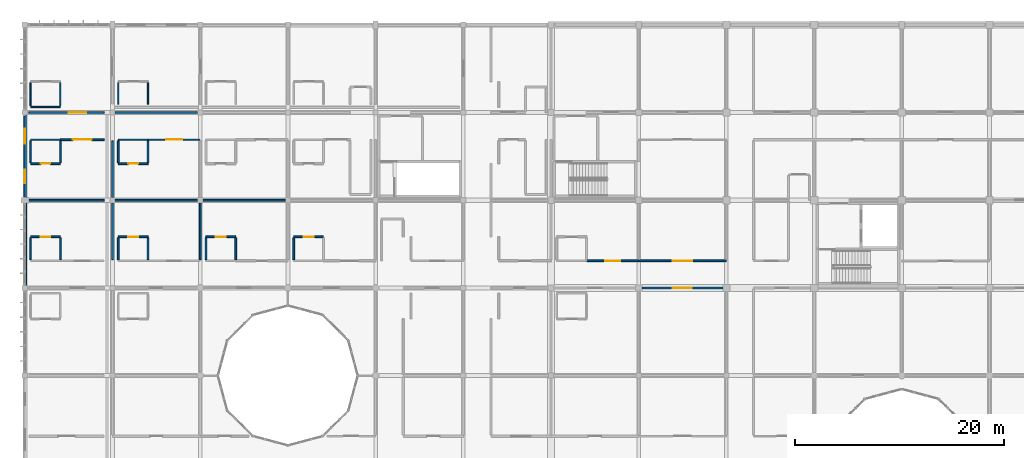
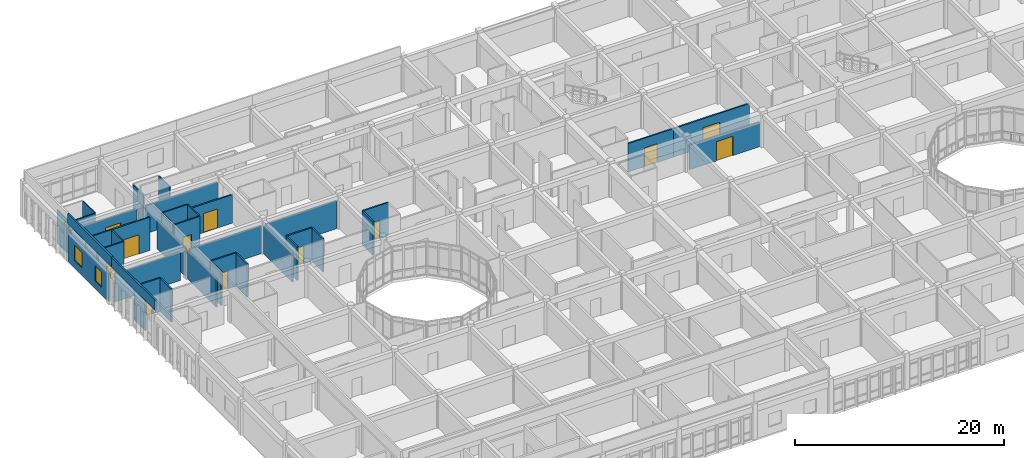
# One storey, part 86 of 119: 40 walls, 12 doors, 2 windows, 14 openings.
"""IFC4 building model written with IfcOpenShell, lengths in metres."""

from ifc_helpers import new_model, si_unit, direction, frame, frame_2d, origin, place, context, subcontext, project, spatial, rectangle, extrude, material, layer, layer_set, type_object, element, fill, save


model = new_model("IFC4")

# Units and contexts
model_context = context("Model", 3, precision=1e-05, world=origin(), true_north=direction((0.0, 1.0)))
body_context = subcontext(model_context, "Body", "Model", "MODEL_VIEW")
ifc_project = project(units=[si_unit("LENGTHUNIT", "METRE"), si_unit("AREAUNIT", "SQUARE_METRE"), si_unit("VOLUMEUNIT", "CUBIC_METRE"), si_unit("PLANEANGLEUNIT", "RADIAN"), si_unit("MASSUNIT", "GRAM", prefix="KILO")], contexts=[model_context])

# Site, building, storey
site_placement = place(None, origin())
site = spatial("IfcSite", under=ifc_project, at=site_placement, CompositionType="ELEMENT")
building_placement = place(site_placement, origin())
building = spatial("IfcBuilding", under=site, at=building_placement, Name="Bramfleet General Hospital", CompositionType="ELEMENT")
storey_placement = place(building_placement, frame((0.0, 0.0, 14.39990234375)))
storey = spatial("IfcBuildingStorey", under=building, at=storey_placement, Name="L03", CompositionType="ELEMENT", Elevation=14.39990234375)

# Wall, openings, windows
ifc_material_1 = material(Name="Precast concrete C40/50", Category="concrete")
ifc_layer_1 = layer(ifc_material_1, 0.25, Name="WT-EW-08")
ifc_layer_set_1 = layer_set([ifc_layer_1], Name="Precast concrete C40/50")
wall_type_1 = type_object("IfcWallType", Name="WT-EW-08", PredefinedType="SOLIDWALL", material=ifc_layer_set_1)
wall_1_placement = place(storey_placement, frame((0.0, 101.125, 0.0), z_axis=(0.0, 0.0, 1.0), x_axis=(0.0, 1.0, 0.0)))
wall_1 = element("IfcWall", 1, at=wall_1_placement, inside=storey, type_object=wall_type_1, Name="L03 Exterior Wall 237", PredefinedType="SOLIDWALL", context=body_context, shape_type="SweptSolid", body=[
    extrude(rectangle(XDim=7.75, YDim=0.25, at=frame_2d((3.875, 0.0))), origin(), (0.0, 0.0, 1.0), 3.190185546875),
])
opening_1_placement = place(wall_1_placement, frame((1.28759765625, 0.0, 0.85009765625)))
opening_1 = element("IfcOpeningElement", 2, at=opening_1_placement, cuts=wall_1, Name="Opening W-42", PredefinedType="OPENING", context=body_context, shape_type="SweptSolid", body=[
    extrude(rectangle(XDim=1.300048828125, YDim=1.780029296875, at=frame_2d((0.64990234375, 0.89013671875))), frame((0.0, 0.135009765625, 0.0), z_axis=(0.0, -1.0, 0.0), x_axis=(1.0, 0.0, 0.0)), (0.0, 0.0, 1.0), 0.27001953125),
])
opening_2_placement = place(wall_1_placement, frame((5.08740234375, 0.0, 0.85009765625)))
opening_2 = element("IfcOpeningElement", 3, at=opening_2_placement, cuts=wall_1, Name="Opening W-43", PredefinedType="OPENING", context=body_context, shape_type="SweptSolid", body=[
    extrude(rectangle(XDim=1.449951171875, YDim=1.780029296875, at=frame_2d((0.72509765625, 0.89013671875))), frame((0.0, 0.135009765625, 0.0), z_axis=(0.0, -1.0, 0.0), x_axis=(1.0, 0.0, 0.0)), (0.0, 0.0, 1.0), 0.27001953125),
])
ifc_material_2 = material(Name="Anodised aluminium and low-E triple glazing", Category="aluminium")
window_type_1 = type_object("IfcWindowType", Name="WIN-W-42", PartitioningType="SINGLE_PANEL", PredefinedType="WINDOW", material=ifc_material_2)
window_1_placement = place(opening_1_placement, origin())
window_1 = element("IfcWindow", 4, at=window_1_placement, inside=storey, type_object=window_type_1, Name="L03 Facade Window WIN-L03-237-1", OverallHeight=1.780029296875, OverallWidth=1.300048828125, PartitioningType="SINGLE_PANEL", PredefinedType="WINDOW", context=body_context, shape_type="SweptSolid", body=[
    extrude(rectangle(XDim=1.300048828125, YDim=1.780029296875, at=frame_2d((0.64990234375, 0.89013671875))), frame((0.0, 0.030029296875, 0.0), z_axis=(0.0, -1.0, 0.0), x_axis=(1.0, 0.0, 0.0)), (0.0, 0.0, 1.0), 0.06005859375),
])
fill(opening_1, window_1)
window_type_2 = type_object("IfcWindowType", Name="WIN-W-43", PartitioningType="SINGLE_PANEL", PredefinedType="WINDOW", material=ifc_material_2)
window_2_placement = place(opening_2_placement, origin())
window_2 = element("IfcWindow", 5, at=window_2_placement, inside=storey, type_object=window_type_2, Name="L03 Facade Window WIN-L03-237-2", OverallHeight=1.780029296875, OverallWidth=1.449951171875, PartitioningType="SINGLE_PANEL", PredefinedType="WINDOW", context=body_context, shape_type="SweptSolid", body=[
    extrude(rectangle(XDim=1.449951171875, YDim=1.780029296875, at=frame_2d((0.72509765625, 0.89013671875))), frame((0.0, 0.030029296875, 0.0), z_axis=(0.0, -1.0, 0.0), x_axis=(1.0, 0.0, 0.0)), (0.0, 0.0, 1.0), 0.06005859375),
])
fill(opening_2, window_2)

# Wall, opening, door
ifc_material_3 = material(Name="Gypsum plasterboard on acoustic steel studs", Category="steel")
ifc_layer_2 = layer(ifc_material_3, 0.169921875, Name="WT-IW-05")
ifc_layer_set_2 = layer_set([ifc_layer_2], Name="Gypsum plasterboard on acoustic steel studs")
wall_type_2 = type_object("IfcWallType", Name="WT-IW-05", PredefinedType="PARTITIONING", material=ifc_layer_set_2)
wall_2_placement = place(storey_placement, frame((59.094970703125, 92.39990234375, 0.0), z_axis=(0.0, 0.0, 1.0), x_axis=(1.0, 0.0, 0.0)))
wall_2 = element("IfcWall", 6, at=wall_2_placement, inside=storey, type_object=wall_type_2, Name="L03 Interior Partition IW-L03-2645", PredefinedType="PARTITIONING", context=body_context, shape_type="SweptSolid", body=[
    extrude(rectangle(XDim=7.760009765625, YDim=0.169921875, at=frame_2d((3.8798828125, 0.0))), origin(), (0.0, 0.0, 1.0), 2.880126953125),
])
opening_3_placement = place(wall_2_placement, frame((2.97998046875, 0.0, 0.0)))
opening_3 = element("IfcOpeningElement", 7, at=opening_3_placement, cuts=wall_2, Name="Opening D1093", PredefinedType="OPENING", context=body_context, shape_type="SweptSolid", body=[
    extrude(rectangle(XDim=1.800048828125, YDim=2.25, at=frame_2d((0.89990234375, 1.125))), frame((0.0, 0.094970703125, 0.0), z_axis=(0.0, -1.0, 0.0), x_axis=(1.0, 0.0, 0.0)), (0.0, 0.0, 1.0), 0.18994140625),
])
ifc_material_4 = material(Name="Stainless steel and acoustic timber leaf", Category="steel")
door_type_1 = type_object("IfcDoorType", Name="DR-D-05", OperationType="NOTDEFINED", PredefinedType="DOOR", material=ifc_material_4)
door_1_placement = place(opening_3_placement, origin())
door_1 = element("IfcDoor", 8, at=door_1_placement, inside=storey, type_object=door_type_1, Name="Maternity Delivery Suite and Clinical Lab L03-0710 Door D1093", OperationType="DOUBLE_SWING_RIGHT", OverallHeight=2.25, OverallWidth=1.800048828125, PredefinedType="DOOR", context=body_context, shape_type="SweptSolid", body=[
    extrude(rectangle(XDim=1.800048828125, YDim=2.25, at=frame_2d((0.89990234375, 1.125))), frame((0.0, 0.02490234375, 0.0), z_axis=(0.0, -1.0, 0.0), x_axis=(1.0, 0.0, 0.0)), (0.0, 0.0, 1.0), 0.050048828125),
])
fill(opening_3, door_1)

ifc_layer_3 = layer(ifc_material_3, 0.159912109375, Name="WT-IW-06")
ifc_layer_set_3 = layer_set([ifc_layer_3], Name="Gypsum plasterboard on acoustic steel studs")
wall_type_3 = type_object("IfcWallType", Name="WT-IW-06", PredefinedType="PARTITIONING", material=ifc_layer_set_3)
wall_3_placement = place(storey_placement, frame((53.800048828125, 95.0, 0.0), z_axis=(0.0, 0.0, 1.0), x_axis=(1.0, 0.0, 0.0)))
wall_3 = element("IfcWall", 9, at=wall_3_placement, inside=storey, type_object=wall_type_3, Name="L03 Interior Partition IW-L03-2669", PredefinedType="PARTITIONING", context=body_context, shape_type="SweptSolid", body=[
    extrude(rectangle(XDim=5.0, YDim=0.159912109375, at=frame_2d((2.5, 0.0))), origin(), (0.0, 0.0, 1.0), 3.340087890625),
])
opening_4_placement = place(wall_3_placement, frame((1.7900390625, 0.0, 0.0)))
opening_4 = element("IfcOpeningElement", 10, at=opening_4_placement, cuts=wall_3, Name="Opening D1087", PredefinedType="OPENING", context=body_context, shape_type="SweptSolid", body=[
    extrude(rectangle(XDim=1.419921875, YDim=2.219970703125, at=frame_2d((0.7099609375, 1.10986328125))), frame((0.0, 0.08984375, 0.0), z_axis=(0.0, -1.0, 0.0), x_axis=(1.0, 0.0, 0.0)), (0.0, 0.0, 1.0), 0.179931640625),
])
door_type_2 = type_object("IfcDoorType", Name="DR-D-31", OperationType="NOTDEFINED", PredefinedType="DOOR", material=ifc_material_4)
door_2_placement = place(opening_4_placement, origin())
door_2 = element("IfcDoor", 11, at=door_2_placement, inside=storey, type_object=door_type_2, Name="Neonatal Intensive Care Ward L03-0611 Door D1087", OperationType="SINGLE_SWING_RIGHT", OverallHeight=2.219970703125, OverallWidth=1.419921875, PredefinedType="DOOR", context=body_context, shape_type="SweptSolid", body=[
    extrude(rectangle(XDim=1.419921875, YDim=2.219970703125, at=frame_2d((0.7099609375, 1.10986328125))), frame((0.0, 0.02490234375, 0.0), z_axis=(0.0, -1.0, 0.0), x_axis=(1.0, 0.0, 0.0)), (0.0, 0.0, 1.0), 0.050048828125),
])
fill(opening_4, door_2)

wall_4_placement = place(storey_placement, frame((58.800048828125, 95.0, 0.0), z_axis=(0.0, 0.0, 1.0), x_axis=(1.0, 0.0, 0.0)))
wall_4 = element("IfcWall", 12, at=wall_4_placement, inside=storey, type_object=wall_type_3, Name="L03 Interior Partition IW-L03-2670", PredefinedType="PARTITIONING", context=body_context, shape_type="SweptSolid", body=[
    extrude(rectangle(XDim=8.39990234375, YDim=0.159912109375, at=frame_2d((4.199951171875, 0.0))), origin(), (0.0, 0.0, 1.0), 3.340087890625),
])
opening_5_placement = place(wall_4_placement, frame((3.25, 0.0, 0.0)))
opening_5 = element("IfcOpeningElement", 13, at=opening_5_placement, cuts=wall_4, Name="Opening D1094", PredefinedType="OPENING", context=body_context, shape_type="SweptSolid", body=[
    extrude(rectangle(XDim=1.89990234375, YDim=2.300048828125, at=frame_2d((0.949951171875, 1.14990234375))), frame((0.0, 0.08984375, 0.0), z_axis=(0.0, -1.0, 0.0), x_axis=(1.0, 0.0, 0.0)), (0.0, 0.0, 1.0), 0.179931640625),
])
door_type_3 = type_object("IfcDoorType", Name="DR-D-06", OperationType="NOTDEFINED", PredefinedType="DOOR", material=ifc_material_4)
door_3_placement = place(opening_5_placement, origin())
door_3 = element("IfcDoor", 14, at=door_3_placement, inside=storey, type_object=door_type_3, Name="Maternity Delivery Suite and Clinical Lab L03-0711 Door D1094", OperationType="DOUBLE_SWING_LEFT", OverallHeight=2.300048828125, OverallWidth=1.89990234375, PredefinedType="DOOR", context=body_context, shape_type="SweptSolid", body=[
    extrude(rectangle(XDim=1.89990234375, YDim=2.300048828125, at=frame_2d((0.949951171875, 1.14990234375))), frame((0.0, 0.02490234375, 0.0), z_axis=(0.0, -1.0, 0.0), x_axis=(1.0, 0.0, 0.0)), (0.0, 0.0, 1.0), 0.050048828125),
])
fill(opening_5, door_3)

wall_5_placement = place(storey_placement, frame((0.550048828125, 97.300048828125, 0.0), z_axis=(0.0, 0.0, 1.0), x_axis=(1.0, 0.0, 0.0)))
wall_5 = element("IfcWall", 15, at=wall_5_placement, inside=storey, type_object=wall_type_3, Name="L03 Interior Partition IW-L03-2679", PredefinedType="PARTITIONING", context=body_context, shape_type="SweptSolid", body=[
    extrude(rectangle(XDim=2.849853515625, YDim=0.159912109375, at=frame_2d((1.4248046875, 0.0))), origin(), (0.0, 0.0, 1.0), 3.89013671875),
])
opening_6_placement = place(wall_5_placement, frame((0.949951171875, 0.0, 0.0)))
opening_6 = element("IfcOpeningElement", 16, at=opening_6_placement, cuts=wall_5, Name="Opening D1028", PredefinedType="OPENING", context=body_context, shape_type="SweptSolid", body=[
    extrude(rectangle(XDim=0.949951171875, YDim=2.10009765625, at=frame_2d((0.47509765625, 1.050048828125))), frame((0.0, 0.08984375, 0.0), z_axis=(0.0, -1.0, 0.0), x_axis=(1.0, 0.0, 0.0)), (0.0, 0.0, 1.0), 0.179931640625),
])
door_type_4 = type_object("IfcDoorType", Name="DR-D-10", OperationType="NOTDEFINED", PredefinedType="DOOR", material=ifc_material_4)
door_4_placement = place(opening_6_placement, origin())
door_4 = element("IfcDoor", 17, at=door_4_placement, inside=storey, type_object=door_type_4, Name="Neonatal Family En-Suite WC L03-0011 Door D1028", OperationType="SINGLE_SWING_LEFT", OverallHeight=2.10009765625, OverallWidth=0.949951171875, PredefinedType="DOOR", context=body_context, shape_type="SweptSolid", body=[
    extrude(rectangle(XDim=0.949951171875, YDim=2.10009765625, at=frame_2d((0.47509765625, 1.050048828125))), frame((0.0, 0.02490234375, 0.0), z_axis=(0.0, -1.0, 0.0), x_axis=(1.0, 0.0, 0.0)), (0.0, 0.0, 1.0), 0.050048828125),
])
fill(opening_6, door_4)

wall_6_placement = place(storey_placement, frame((8.949951171875, 97.300048828125, 0.0), z_axis=(0.0, 0.0, 1.0), x_axis=(1.0, 0.0, 0.0)))
wall_6 = element("IfcWall", 18, at=wall_6_placement, inside=storey, type_object=wall_type_3, Name="L03 Interior Partition IW-L03-2680", PredefinedType="PARTITIONING", context=body_context, shape_type="SweptSolid", body=[
    extrude(rectangle(XDim=2.85009765625, YDim=0.159912109375, at=frame_2d((1.425048828125, 0.0))), origin(), (0.0, 0.0, 1.0), 3.89013671875),
])
opening_7_placement = place(wall_6_placement, frame((0.949951171875, 0.0, 0.0)))
opening_7 = element("IfcOpeningElement", 19, at=opening_7_placement, cuts=wall_6, Name="Opening D1040", PredefinedType="OPENING", context=body_context, shape_type="SweptSolid", body=[
    extrude(rectangle(XDim=0.949951171875, YDim=2.10009765625, at=frame_2d((0.47509765625, 1.050048828125))), frame((0.0, 0.08984375, 0.0), z_axis=(0.0, -1.0, 0.0), x_axis=(1.0, 0.0, 0.0)), (0.0, 0.0, 1.0), 0.179931640625),
])
door_5_placement = place(opening_7_placement, origin())
door_5 = element("IfcDoor", 20, at=door_5_placement, inside=storey, type_object=door_type_4, Name="Neonatal Family En-Suite WC L03-0111 Door D1040", OperationType="SINGLE_SWING_LEFT", OverallHeight=2.10009765625, OverallWidth=0.949951171875, PredefinedType="DOOR", context=body_context, shape_type="SweptSolid", body=[
    extrude(rectangle(XDim=0.949951171875, YDim=2.10009765625, at=frame_2d((0.47509765625, 1.050048828125))), frame((0.0, 0.02490234375, 0.0), z_axis=(0.0, -1.0, 0.0), x_axis=(1.0, 0.0, 0.0)), (0.0, 0.0, 1.0), 0.050048828125),
])
fill(opening_7, door_5)

wall_7_placement = place(storey_placement, frame((17.35009765625, 97.300048828125, 0.0), z_axis=(0.0, 0.0, 1.0), x_axis=(1.0, 0.0, 0.0)))
wall_7 = element("IfcWall", 21, at=wall_7_placement, inside=storey, type_object=wall_type_3, Name="L03 Interior Partition IW-L03-2681", PredefinedType="PARTITIONING", context=body_context, shape_type="SweptSolid", body=[
    extrude(rectangle(XDim=2.849853515625, YDim=0.159912109375, at=frame_2d((1.4248046875, 0.0))), origin(), (0.0, 0.0, 1.0), 3.89013671875),
])
opening_8_placement = place(wall_7_placement, frame((0.949951171875, 0.0, 0.0)))
opening_8 = element("IfcOpeningElement", 22, at=opening_8_placement, cuts=wall_7, Name="Opening D1050", PredefinedType="OPENING", context=body_context, shape_type="SweptSolid", body=[
    extrude(rectangle(XDim=0.949951171875, YDim=2.10009765625, at=frame_2d((0.47509765625, 1.050048828125))), frame((0.0, 0.08984375, 0.0), z_axis=(0.0, -1.0, 0.0), x_axis=(1.0, 0.0, 0.0)), (0.0, 0.0, 1.0), 0.179931640625),
])
door_6_placement = place(opening_8_placement, origin())
door_6 = element("IfcDoor", 23, at=door_6_placement, inside=storey, type_object=door_type_4, Name="Neonatal Family En-Suite WC L03-0211 Door D1050", OperationType="SINGLE_SWING_LEFT", OverallHeight=2.10009765625, OverallWidth=0.949951171875, PredefinedType="DOOR", context=body_context, shape_type="SweptSolid", body=[
    extrude(rectangle(XDim=0.949951171875, YDim=2.10009765625, at=frame_2d((0.47509765625, 1.050048828125))), frame((0.0, 0.02490234375, 0.0), z_axis=(0.0, -1.0, 0.0), x_axis=(1.0, 0.0, 0.0)), (0.0, 0.0, 1.0), 0.050048828125),
])
fill(opening_8, door_6)

wall_8_placement = place(storey_placement, frame((25.75, 97.300048828125, 0.0), z_axis=(0.0, 0.0, 1.0), x_axis=(1.0, 0.0, 0.0)))
wall_8 = element("IfcWall", 24, at=wall_8_placement, inside=storey, type_object=wall_type_3, Name="L03 Interior Partition IW-L03-2682", PredefinedType="PARTITIONING", context=body_context, shape_type="SweptSolid", body=[
    extrude(rectangle(XDim=2.85009765625, YDim=0.159912109375, at=frame_2d((1.425048828125, 0.0))), origin(), (0.0, 0.0, 1.0), 3.89013671875),
])
opening_9_placement = place(wall_8_placement, frame((0.949951171875, 0.0, 0.0)))
opening_9 = element("IfcOpeningElement", 25, at=opening_9_placement, cuts=wall_8, Name="Opening D1061", PredefinedType="OPENING", context=body_context, shape_type="SweptSolid", body=[
    extrude(rectangle(XDim=0.949951171875, YDim=2.10009765625, at=frame_2d((0.47509765625, 1.050048828125))), frame((0.0, 0.08984375, 0.0), z_axis=(0.0, -1.0, 0.0), x_axis=(1.0, 0.0, 0.0)), (0.0, 0.0, 1.0), 0.179931640625),
])
door_7_placement = place(opening_9_placement, origin())
door_7 = element("IfcDoor", 26, at=door_7_placement, inside=storey, type_object=door_type_4, Name="Neonatal Family En-Suite WC L03-0311 Door D1061", OperationType="SINGLE_SWING_LEFT", OverallHeight=2.10009765625, OverallWidth=0.949951171875, PredefinedType="DOOR", context=body_context, shape_type="SweptSolid", body=[
    extrude(rectangle(XDim=0.949951171875, YDim=2.10009765625, at=frame_2d((0.47509765625, 1.050048828125))), frame((0.0, 0.02490234375, 0.0), z_axis=(0.0, -1.0, 0.0), x_axis=(1.0, 0.0, 0.0)), (0.0, 0.0, 1.0), 0.050048828125),
])
fill(opening_9, door_7)

# Walls
wall_9_placement = place(storey_placement, frame((0.389892578125, 100.800048828125, 0.0), z_axis=(0.0, 0.0, 1.0), x_axis=(1.0, 0.0, 0.0)))
element("IfcWall", 27, at=wall_9_placement, inside=storey, type_object=wall_type_3, Name="L03 Interior Partition IW-L03-2685", PredefinedType="PARTITIONING", context=body_context, shape_type="SweptSolid", body=[
    extrude(rectangle(XDim=7.2001953125, YDim=0.159912109375, at=frame_2d((3.60009765625, 0.0))), origin(), (0.0, 0.0, 1.0), 3.2900390625),
])
wall_10_placement = place(storey_placement, frame((8.64501953125, 100.800048828125, 0.0), z_axis=(0.0, 0.0, 1.0), x_axis=(1.0, 0.0, 0.0)))
element("IfcWall", 28, at=wall_10_placement, inside=storey, type_object=wall_type_3, Name="L03 Interior Partition IW-L03-2686", PredefinedType="PARTITIONING", context=body_context, shape_type="SweptSolid", body=[
    extrude(rectangle(XDim=7.909912109375, YDim=0.159912109375, at=frame_2d((3.955078125, 0.0))), origin(), (0.0, 0.0, 1.0), 3.280029296875),
])
wall_11_placement = place(storey_placement, frame((17.044921875, 100.800048828125, 0.0), z_axis=(0.0, 0.0, 1.0), x_axis=(1.0, 0.0, 0.0)))
element("IfcWall", 29, at=wall_11_placement, inside=storey, type_object=wall_type_3, Name="L03 Interior Partition IW-L03-2687", PredefinedType="PARTITIONING", context=body_context, shape_type="SweptSolid", body=[
    extrude(rectangle(XDim=7.91015625, YDim=0.159912109375, at=frame_2d((3.955078125, 0.0))), origin(), (0.0, 0.0, 1.0), 3.280029296875),
])

# Wall, opening, door
wall_12_placement = place(storey_placement, frame((0.550048828125, 104.300048828125, 0.0), z_axis=(0.0, 0.0, 1.0), x_axis=(1.0, 0.0, 0.0)))
wall_12 = element("IfcWall", 30, at=wall_12_placement, inside=storey, type_object=wall_type_3, Name="L03 Interior Partition IW-L03-2711", PredefinedType="PARTITIONING", context=body_context, shape_type="SweptSolid", body=[
    extrude(rectangle(XDim=2.849853515625, YDim=0.159912109375, at=frame_2d((1.4248046875, 0.0))), origin(), (0.0, 0.0, 1.0), 3.89013671875),
])
opening_10_placement = place(wall_12_placement, frame((0.949951171875, 0.0, 0.0)))
opening_10 = element("IfcOpeningElement", 31, at=opening_10_placement, cuts=wall_12, Name="Opening D1030", PredefinedType="OPENING", context=body_context, shape_type="SweptSolid", body=[
    extrude(rectangle(XDim=0.949951171875, YDim=2.10009765625, at=frame_2d((0.47509765625, 1.050048828125))), frame((0.0, 0.08984375, 0.0), z_axis=(0.0, -1.0, 0.0), x_axis=(1.0, 0.0, 0.0)), (0.0, 0.0, 1.0), 0.179931640625),
])
door_8_placement = place(opening_10_placement, origin())
door_8 = element("IfcDoor", 32, at=door_8_placement, inside=storey, type_object=door_type_4, Name="Neonatal Family En-Suite WC L03-0012 Door D1030", OperationType="SINGLE_SWING_LEFT", OverallHeight=2.10009765625, OverallWidth=0.949951171875, PredefinedType="DOOR", context=body_context, shape_type="SweptSolid", body=[
    extrude(rectangle(XDim=0.949951171875, YDim=2.10009765625, at=frame_2d((0.47509765625, 1.050048828125))), frame((0.0, 0.02490234375, 0.0), z_axis=(0.0, -1.0, 0.0), x_axis=(1.0, 0.0, 0.0)), (0.0, 0.0, 1.0), 0.050048828125),
])
fill(opening_10, door_8)

wall_13_placement = place(storey_placement, frame((8.949951171875, 104.300048828125, 0.0), z_axis=(0.0, 0.0, 1.0), x_axis=(1.0, 0.0, 0.0)))
wall_13 = element("IfcWall", 33, at=wall_13_placement, inside=storey, type_object=wall_type_3, Name="L03 Interior Partition IW-L03-2712", PredefinedType="PARTITIONING", context=body_context, shape_type="SweptSolid", body=[
    extrude(rectangle(XDim=2.85009765625, YDim=0.159912109375, at=frame_2d((1.425048828125, 0.0))), origin(), (0.0, 0.0, 1.0), 3.89013671875),
])
opening_11_placement = place(wall_13_placement, frame((0.949951171875, 0.0, 0.0)))
opening_11 = element("IfcOpeningElement", 34, at=opening_11_placement, cuts=wall_13, Name="Opening D1042", PredefinedType="OPENING", context=body_context, shape_type="SweptSolid", body=[
    extrude(rectangle(XDim=0.949951171875, YDim=2.10009765625, at=frame_2d((0.47509765625, 1.050048828125))), frame((0.0, 0.08984375, 0.0), z_axis=(0.0, -1.0, 0.0), x_axis=(1.0, 0.0, 0.0)), (0.0, 0.0, 1.0), 0.179931640625),
])
door_9_placement = place(opening_11_placement, origin())
door_9 = element("IfcDoor", 35, at=door_9_placement, inside=storey, type_object=door_type_4, Name="Neonatal Family En-Suite WC L03-0112 Door D1042", OperationType="SINGLE_SWING_LEFT", OverallHeight=2.10009765625, OverallWidth=0.949951171875, PredefinedType="DOOR", context=body_context, shape_type="SweptSolid", body=[
    extrude(rectangle(XDim=0.949951171875, YDim=2.10009765625, at=frame_2d((0.47509765625, 1.050048828125))), frame((0.0, 0.02490234375, 0.0), z_axis=(0.0, -1.0, 0.0), x_axis=(1.0, 0.0, 0.0)), (0.0, 0.0, 1.0), 0.050048828125),
])
fill(opening_11, door_9)

wall_14_placement = place(storey_placement, frame((3.39990234375, 106.60009765625, 0.0), z_axis=(0.0, 0.0, 1.0), x_axis=(1.0, 0.0, 0.0)))
wall_14 = element("IfcWall", 36, at=wall_14_placement, inside=storey, type_object=wall_type_3, Name="L03 Interior Partition IW-L03-2716", PredefinedType="PARTITIONING", context=body_context, shape_type="SweptSolid", body=[
    extrude(rectangle(XDim=4.190185546875, YDim=0.159912109375, at=frame_2d((2.09521484375, 0.0))), origin(), (0.0, 0.0, 1.0), 3.89013671875),
])
opening_12_placement = place(wall_14_placement, frame((1.195068359375, 0.0, 0.0)))
opening_12 = element("IfcOpeningElement", 37, at=opening_12_placement, cuts=wall_14, Name="Opening D1029", PredefinedType="OPENING", context=body_context, shape_type="SweptSolid", body=[
    extrude(rectangle(XDim=1.800048828125, YDim=2.25, at=frame_2d((0.89990234375, 1.125))), frame((0.0, 0.08984375, 0.0), z_axis=(0.0, -1.0, 0.0), x_axis=(1.0, 0.0, 0.0)), (0.0, 0.0, 1.0), 0.179931640625),
])
door_10_placement = place(opening_12_placement, origin())
door_10 = element("IfcDoor", 38, at=door_10_placement, inside=storey, type_object=door_type_1, Name="Neonatal Intensive Care Ward L03-0012 Door D1029", OperationType="DOUBLE_SWING_RIGHT", OverallHeight=2.25, OverallWidth=1.800048828125, PredefinedType="DOOR", context=body_context, shape_type="SweptSolid", body=[
    extrude(rectangle(XDim=1.800048828125, YDim=2.25, at=frame_2d((0.89990234375, 1.125))), frame((0.0, 0.02490234375, 0.0), z_axis=(0.0, -1.0, 0.0), x_axis=(1.0, 0.0, 0.0)), (0.0, 0.0, 1.0), 0.050048828125),
])
fill(opening_12, door_10)

wall_15_placement = place(storey_placement, frame((11.800048828125, 106.60009765625, 0.0), z_axis=(0.0, 0.0, 1.0), x_axis=(1.0, 0.0, 0.0)))
wall_15 = element("IfcWall", 39, at=wall_15_placement, inside=storey, type_object=wall_type_3, Name="L03 Interior Partition IW-L03-2718", PredefinedType="PARTITIONING", context=body_context, shape_type="SweptSolid", body=[
    extrude(rectangle(XDim=5.0, YDim=0.159912109375, at=frame_2d((2.5, 0.0))), origin(), (0.0, 0.0, 1.0), 3.330078125),
])
opening_13_placement = place(wall_15_placement, frame((1.72998046875, 0.0, 0.0)))
opening_13 = element("IfcOpeningElement", 40, at=opening_13_placement, cuts=wall_15, Name="Opening D1041", PredefinedType="OPENING", context=body_context, shape_type="SweptSolid", body=[
    extrude(rectangle(XDim=1.5400390625, YDim=2.239990234375, at=frame_2d((0.77001953125, 1.1201171875))), frame((0.0, 0.08984375, 0.0), z_axis=(0.0, -1.0, 0.0), x_axis=(1.0, 0.0, 0.0)), (0.0, 0.0, 1.0), 0.179931640625),
])
door_type_5 = type_object("IfcDoorType", Name="DR-D-17", OperationType="NOTDEFINED", PredefinedType="DOOR", material=ifc_material_4)
door_11_placement = place(opening_13_placement, origin())
door_11 = element("IfcDoor", 41, at=door_11_placement, inside=storey, type_object=door_type_5, Name="Neonatal Intensive Care Ward L03-0112 Door D1041", OperationType="SINGLE_SWING_RIGHT", OverallHeight=2.239990234375, OverallWidth=1.5400390625, PredefinedType="DOOR", context=body_context, shape_type="SweptSolid", body=[
    extrude(rectangle(XDim=1.5400390625, YDim=2.239990234375, at=frame_2d((0.77001953125, 1.1201171875))), frame((0.0, 0.02490234375, 0.0), z_axis=(0.0, -1.0, 0.0), x_axis=(1.0, 0.0, 0.0)), (0.0, 0.0, 1.0), 0.050048828125),
])
fill(opening_13, door_11)

wall_16_placement = place(storey_placement, frame((0.389892578125, 109.199951171875, 0.0), z_axis=(0.0, 0.0, 1.0), x_axis=(1.0, 0.0, 0.0)))
wall_16 = element("IfcWall", 42, at=wall_16_placement, inside=storey, type_object=wall_type_3, Name="L03 Interior Partition IW-L03-2735", PredefinedType="PARTITIONING", context=body_context, shape_type="SweptSolid", body=[
    extrude(rectangle(XDim=7.2001953125, YDim=0.159912109375, at=frame_2d((3.60009765625, 0.0))), origin(), (0.0, 0.0, 1.0), 3.2900390625),
])
opening_14_placement = place(wall_16_placement, frame((3.7939453125, 0.0, 0.0)))
opening_14 = element("IfcOpeningElement", 43, at=opening_14_placement, cuts=wall_16, Name="Opening D1031", PredefinedType="OPENING", context=body_context, shape_type="SweptSolid", body=[
    extrude(rectangle(XDim=1.699951171875, YDim=2.25, at=frame_2d((0.85009765625, 1.125))), frame((0.0, 0.08984375, 0.0), z_axis=(0.0, -1.0, 0.0), x_axis=(1.0, 0.0, 0.0)), (0.0, 0.0, 1.0), 0.179931640625),
])
door_type_6 = type_object("IfcDoorType", Name="DR-D-07", OperationType="NOTDEFINED", PredefinedType="DOOR", material=ifc_material_4)
door_12_placement = place(opening_14_placement, origin())
door_12 = element("IfcDoor", 44, at=door_12_placement, inside=storey, type_object=door_type_6, Name="Neonatal Intensive Care Ward L03-0013 Door D1031", OperationType="DOUBLE_SWING_RIGHT", OverallHeight=2.25, OverallWidth=1.699951171875, PredefinedType="DOOR", context=body_context, shape_type="SweptSolid", body=[
    extrude(rectangle(XDim=1.699951171875, YDim=2.25, at=frame_2d((0.85009765625, 1.125))), frame((0.0, 0.02490234375, 0.0), z_axis=(0.0, -1.0, 0.0), x_axis=(1.0, 0.0, 0.0)), (0.0, 0.0, 1.0), 0.050048828125),
])
fill(opening_14, door_12)

# Walls
wall_17_placement = place(storey_placement, frame((8.64501953125, 109.199951171875, 0.0), z_axis=(0.0, 0.0, 1.0), x_axis=(1.0, 0.0, 0.0)))
element("IfcWall", 45, at=wall_17_placement, inside=storey, type_object=wall_type_3, Name="L03 Interior Partition IW-L03-2736", PredefinedType="PARTITIONING", context=body_context, shape_type="SweptSolid", body=[
    extrude(rectangle(XDim=7.909912109375, YDim=0.159912109375, at=frame_2d((3.955078125, 0.0))), origin(), (0.0, 0.0, 1.0), 3.280029296875),
])
for number, where, z_axis, x_axis, name in (
    (46, (0.550048828125, 95.114990234375, 0.0), (0.0, 0.0, 1.0), (0.0, 1.0, 0.0), "L03 Interior Partition IW-L03-2766"),
    (47, (0.550048828125, 104.4150390625, 0.0), (0.0, 0.0, 1.0), (0.0, 1.0, 0.0), "L03 Interior Partition IW-L03-2767"),
    (48, (3.39990234375, 95.114990234375, 0.0), (0.0, 0.0, 1.0), (0.0, 1.0, 0.0), "L03 Interior Partition IW-L03-2770"),
    (49, (3.39990234375, 104.4150390625, 0.0), (0.0, 0.0, 1.0), (0.0, 1.0, 0.0), "L03 Interior Partition IW-L03-2771"),
):
    element("IfcWall", number, at=place(storey_placement, frame(where, z_axis=z_axis, x_axis=x_axis)), inside=storey, type_object=wall_type_3, Name=name, PredefinedType="PARTITIONING", context=body_context, shape_type="SweptSolid", body=[
        extrude(rectangle(XDim=2.070068359375, YDim=0.159912109375, at=frame_2d((1.03515625, 0.0))), origin(), (0.0, 0.0, 1.0), 3.89013671875),
    ])
wall_18_placement = place(storey_placement, frame((8.39990234375, 95.114990234375, 0.0), z_axis=(0.0, 0.0, 1.0), x_axis=(0.0, 1.0, 0.0)))
element("IfcWall", 50, at=wall_18_placement, inside=storey, type_object=wall_type_3, Name="L03 Interior Partition IW-L03-2778", PredefinedType="PARTITIONING", context=body_context, shape_type="SweptSolid", body=[
    extrude(rectangle(XDim=5.43994140625, YDim=0.159912109375, at=frame_2d((2.719970703125, 0.0))), origin(), (0.0, 0.0, 1.0), 3.330078125),
])
wall_19_placement = place(storey_placement, frame((8.39990234375, 101.044921875, 0.0), z_axis=(0.0, 0.0, 1.0), x_axis=(0.0, 1.0, 0.0)))
element("IfcWall", 51, at=wall_19_placement, inside=storey, type_object=wall_type_3, Name="L03 Interior Partition IW-L03-2779", PredefinedType="PARTITIONING", context=body_context, shape_type="SweptSolid", body=[
    extrude(rectangle(XDim=5.440185546875, YDim=0.159912109375, at=frame_2d((2.72021484375, 0.0))), origin(), (0.0, 0.0, 1.0), 3.330078125),
])
for number, where, z_axis, x_axis, name in (
    (52, (8.949951171875, 95.114990234375, 0.0), (0.0, 0.0, 1.0), (0.0, 1.0, 0.0), "L03 Interior Partition IW-L03-2782"),
    (53, (8.949951171875, 104.4150390625, 0.0), (0.0, 0.0, 1.0), (0.0, 1.0, 0.0), "L03 Interior Partition IW-L03-2783"),
    (54, (11.800048828125, 95.114990234375, 0.0), (0.0, 0.0, 1.0), (0.0, 1.0, 0.0), "L03 Interior Partition IW-L03-2786"),
    (55, (11.800048828125, 104.4150390625, 0.0), (0.0, 0.0, 1.0), (0.0, 1.0, 0.0), "L03 Interior Partition IW-L03-2787"),
):
    element("IfcWall", number, at=place(storey_placement, frame(where, z_axis=z_axis, x_axis=x_axis)), inside=storey, type_object=wall_type_3, Name=name, PredefinedType="PARTITIONING", context=body_context, shape_type="SweptSolid", body=[
        extrude(rectangle(XDim=2.070068359375, YDim=0.159912109375, at=frame_2d((1.03515625, 0.0))), origin(), (0.0, 0.0, 1.0), 3.89013671875),
    ])
wall_20_placement = place(storey_placement, frame((16.800048828125, 95.114990234375, 0.0), z_axis=(0.0, 0.0, 1.0), x_axis=(0.0, 1.0, 0.0)))
element("IfcWall", 56, at=wall_20_placement, inside=storey, type_object=wall_type_3, Name="L03 Interior Partition IW-L03-2796", PredefinedType="PARTITIONING", context=body_context, shape_type="SweptSolid", body=[
    extrude(rectangle(XDim=5.43994140625, YDim=0.159912109375, at=frame_2d((2.719970703125, 0.0))), origin(), (0.0, 0.0, 1.0), 3.330078125),
])
for number, where, z_axis, x_axis, name in (
    (57, (17.35009765625, 95.114990234375, 0.0), (0.0, 0.0, 1.0), (0.0, 1.0, 0.0), "L03 Interior Partition IW-L03-2799"),
    (58, (20.199951171875, 95.114990234375, 0.0), (0.0, 0.0, 1.0), (0.0, 1.0, 0.0), "L03 Interior Partition IW-L03-2802"),
    (59, (25.75, 95.114990234375, 0.0), (0.0, 0.0, 1.0), (0.0, 1.0, 0.0), "L03 Interior Partition IW-L03-2812"),
):
    element("IfcWall", number, at=place(storey_placement, frame(where, z_axis=z_axis, x_axis=x_axis)), inside=storey, type_object=wall_type_3, Name=name, PredefinedType="PARTITIONING", context=body_context, shape_type="SweptSolid", body=[
        extrude(rectangle(XDim=2.070068359375, YDim=0.159912109375, at=frame_2d((1.03515625, 0.0))), origin(), (0.0, 0.0, 1.0), 3.89013671875),
    ])
ifc_layer_4 = layer(ifc_material_3, 0.1201171875, Name="WT-IW-10")
ifc_layer_set_4 = layer_set([ifc_layer_4], Name="Gypsum plasterboard on acoustic steel studs")
wall_type_4 = type_object("IfcWallType", Name="WT-IW-10", PredefinedType="PARTITIONING", material=ifc_layer_set_4)
wall_21_placement = place(storey_placement, frame((0.550048828125, 106.60009765625, 0.0), z_axis=(0.0, 0.0, 1.0), x_axis=(1.0, 0.0, 0.0)))
element("IfcWall", 60, at=wall_21_placement, inside=storey, type_object=wall_type_4, Name="L03 Interior Partition IW-L03-2715", PredefinedType="PARTITIONING", context=body_context, shape_type="SweptSolid", body=[
    extrude(rectangle(XDim=2.849853515625, YDim=0.1201171875, at=frame_2d((1.4248046875, 0.0))), origin(), (0.0, 0.0, 1.0), 3.89013671875),
])
wall_22_placement = place(storey_placement, frame((8.949951171875, 106.60009765625, 0.0), z_axis=(0.0, 0.0, 1.0), x_axis=(1.0, 0.0, 0.0)))
element("IfcWall", 61, at=wall_22_placement, inside=storey, type_object=wall_type_4, Name="L03 Interior Partition IW-L03-2717", PredefinedType="PARTITIONING", context=body_context, shape_type="SweptSolid", body=[
    extrude(rectangle(XDim=2.85009765625, YDim=0.1201171875, at=frame_2d((1.425048828125, 0.0))), origin(), (0.0, 0.0, 1.0), 3.89013671875),
])
wall_23_placement = place(storey_placement, frame((0.550048828125, 109.719970703125, 0.0), z_axis=(0.0, 0.0, 1.0), x_axis=(1.0, 0.0, 0.0)))
element("IfcWall", 62, at=wall_23_placement, inside=storey, type_object=wall_type_4, Name="L03 Interior Partition IW-L03-2750", PredefinedType="PARTITIONING", context=body_context, shape_type="SweptSolid", body=[
    extrude(rectangle(XDim=2.849853515625, YDim=0.1201171875, at=frame_2d((1.4248046875, 0.0))), origin(), (0.0, 0.0, 1.0), 3.89013671875),
])
for number, where, z_axis, x_axis, name in (
    (63, (0.550048828125, 109.8349609375, 0.0), (0.0, 0.0, 1.0), (0.0, 1.0, 0.0), "L03 Interior Partition IW-L03-2768"),
    (64, (3.39990234375, 109.8349609375, 0.0), (0.0, 0.0, 1.0), (0.0, 1.0, 0.0), "L03 Interior Partition IW-L03-2772"),
):
    element("IfcWall", number, at=place(storey_placement, frame(where, z_axis=z_axis, x_axis=x_axis)), inside=storey, type_object=wall_type_4, Name=name, PredefinedType="PARTITIONING", context=body_context, shape_type="SweptSolid", body=[
        extrude(rectangle(XDim=2.219970703125, YDim=0.1201171875, at=frame_2d((1.10986328125, 0.0))), origin(), (0.0, 0.0, 1.0), 3.89013671875),
    ])
for number, where, z_axis, x_axis, name in (
    (65, (8.949951171875, 109.9951171875, 0.0), (0.0, 0.0, 1.0), (0.0, 1.0, 0.0), "L03 Interior Partition IW-L03-2784"),
    (66, (11.800048828125, 109.9951171875, 0.0), (0.0, 0.0, 1.0), (0.0, 1.0, 0.0), "L03 Interior Partition IW-L03-2788"),
):
    element("IfcWall", number, at=place(storey_placement, frame(where, z_axis=z_axis, x_axis=x_axis)), inside=storey, type_object=wall_type_4, Name=name, PredefinedType="PARTITIONING", context=body_context, shape_type="SweptSolid", body=[
        extrude(rectangle(XDim=2.059814453125, YDim=0.1201171875, at=frame_2d((1.02978515625, 0.0))), origin(), (0.0, 0.0, 1.0), 3.89013671875),
    ])
ifc_layer_5 = layer(ifc_material_1, 0.199951171875, Name="WT-PW-01")
ifc_layer_set_5 = layer_set([ifc_layer_5], Name="Precast concrete C40/50")
wall_type_5 = type_object("IfcWallType", Name="WT-PW-01", PredefinedType="PARAPET", material=ifc_layer_set_5)
wall_24_placement = place(storey_placement, frame((0.110107421875, 100.800048828125, 4.18017578125), z_axis=(0.0, 0.0, 1.0), x_axis=(0.0, 1.0, 0.0)))
element("IfcWall", 67, at=wall_24_placement, inside=storey, type_object=wall_type_5, Name="Roof Parapet Wall 76", PredefinedType="PARAPET", context=body_context, shape_type="SweptSolid", body=[
    extrude(rectangle(XDim=8.39990234375, YDim=0.199951171875, at=frame_2d((4.199951171875, 0.0))), origin(), (0.0, 0.0, 1.0), 1.169921875),
])
ifc_layer_6 = layer(ifc_material_1, 0.169921875, Name="WT-PW-03")
ifc_layer_set_6 = layer_set([ifc_layer_6], Name="Precast concrete C40/50")
wall_type_6 = type_object("IfcWallType", Name="WT-PW-03", PredefinedType="PARAPET", material=ifc_layer_set_6)
wall_25_placement = place(storey_placement, frame((0.094970703125, 92.39990234375, 4.18017578125), z_axis=(0.0, 0.0, 1.0), x_axis=(0.0, 1.0, 0.0)))
element("IfcWall", 68, at=wall_25_placement, inside=storey, type_object=wall_type_6, Name="Roof Parapet Wall 75", PredefinedType="PARAPET", context=body_context, shape_type="SweptSolid", body=[
    extrude(rectangle(XDim=8.400146484375, YDim=0.169921875, at=frame_2d((4.2001953125, 0.0))), origin(), (0.0, 0.0, 1.0), 1.169921875),
])

save(model, "model.ifc")
